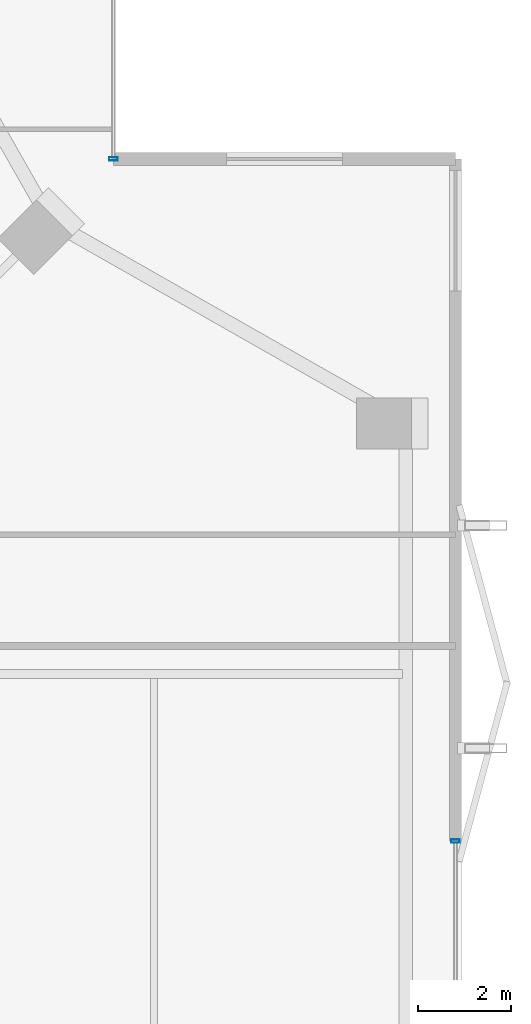
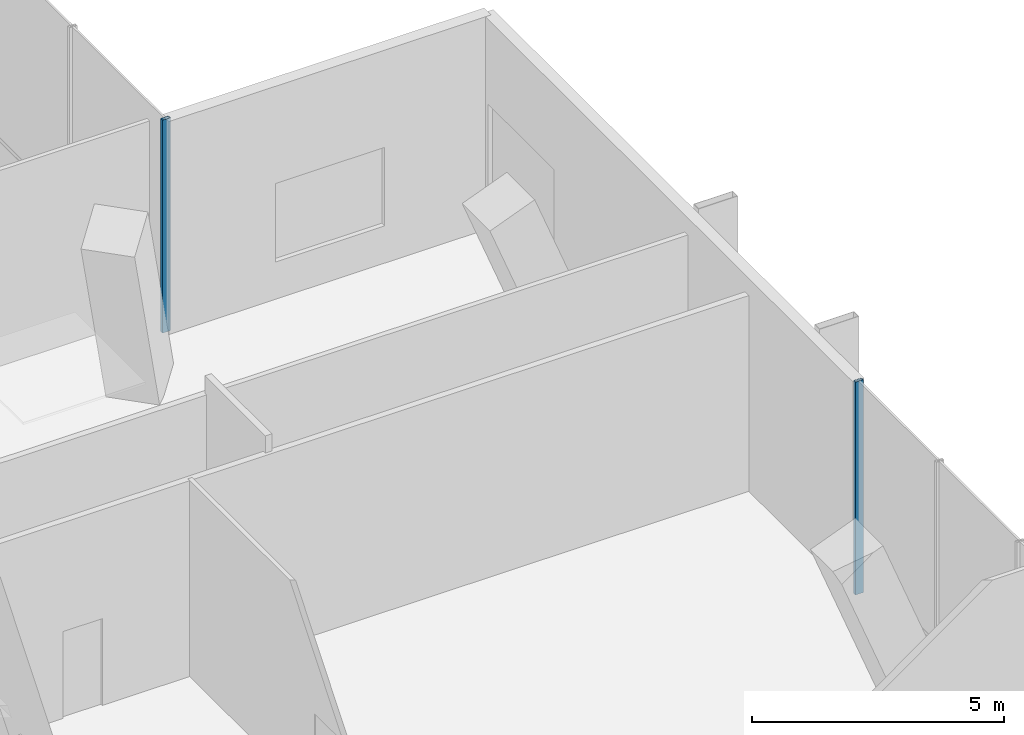
# One storey, part 24 of 33: 2 members, 2 elements without a shape of their own.
"""IFC4 building model written with IfcOpenShell, lengths in metres."""

from ifc_helpers import new_model, si_unit, direction, frame, origin, origin_2d, place, context, subcontext, project, spatial, hollow_rectangle, extrude, material, layer, layer_set, material_profile, profile_set, type_object, element, aggregate, save


model = new_model("IFC4")

# Units and contexts
model_context = context("Model", 3, precision=1e-05, world=origin(), true_north=direction((0.0, 1.0)))
body_context = subcontext(model_context, "Body", "Model", "MODEL_VIEW")
ifc_project = project(units=[si_unit("LENGTHUNIT", "METRE"), si_unit("AREAUNIT", "SQUARE_METRE"), si_unit("VOLUMEUNIT", "CUBIC_METRE"), si_unit("PLANEANGLEUNIT", "RADIAN"), si_unit("MASSUNIT", "GRAM", prefix="KILO")], contexts=[model_context])

# Site, building, storey
site_placement = place(None, origin())
site = spatial("IfcSite", under=ifc_project, at=site_placement, CompositionType="ELEMENT")
building_placement = place(site_placement, origin())
building = spatial("IfcBuilding", under=site, at=building_placement, Name="Belovzor Exchange Tower", CompositionType="ELEMENT")
storey_placement = place(building_placement, frame((0.0, 0.0, 241.199951171875)))
storey = spatial("IfcBuildingStorey", under=building, at=storey_placement, Name="L60", CompositionType="ELEMENT", Elevation=241.199951171875)

# Curtain wall, member
ifc_material_1 = material(Name="Anodised Aluminium Framing", Category="aluminium")
ifc_layer_1 = layer(ifc_material_1, 0.239990234375)
ifc_layer_set_1 = layer_set([ifc_layer_1], Name="Anodised Aluminium Framing")
curtain_wall_type_1 = type_object("IfcCurtainWallType", Name="Sky-Lobby Double-Skin Acoustic Curtain Wall", PredefinedType="NOTDEFINED", material=ifc_layer_set_1)
curtain_wall_1_placement = place(storey_placement, origin())
curtain_wall_1 = element("IfcCurtainWall", 1, at=curtain_wall_1_placement, inside=storey, type_object=curtain_wall_type_1, Name="CW4 Sky-Lobby Double-Skin Acoustic Curtain Wall L60", PredefinedType="NOTDEFINED")
ifc_material_2 = material(Name="Steel S355", Category="steel")
ifc_material_profile = material_profile(ifc_material_2, hollow_rectangle(XDim=0.074951171875, YDim=0.179931640625, WallThickness=0.0048828125, at=origin_2d()))
ifc_profile_set = profile_set([ifc_material_profile], Name="Steel S355")
member_type = type_object("IfcMemberType", Name="Thermally Broken Curtain Wall Mullion 180x75", PredefinedType="MULLION", material=ifc_profile_set)
member_1_placement = place(storey_placement, frame((55.669921875, 33.60009765625, 0.0), z_axis=(0.0, 0.0, 1.0), x_axis=(0.0, -1.0, 0.0)))
member_1 = element("IfcMember", 2, at=member_1_placement, type_object=member_type, Name="CW-M180 Curtain Wall Mullion 1", PredefinedType="MULLION", context=body_context, shape_type="SweptSolid", body=[
    extrude(hollow_rectangle(XDim=0.074951171875, YDim=0.179931640625, WallThickness=0.0048828125, at=origin_2d()), origin(), (0.0, 0.0, 1.0), 5.150146484375),
])
aggregate(curtain_wall_1, [member_1])

ifc_material_3 = material(Name="Anodised Aluminium Framing", Category="aluminium")
ifc_layer_2 = layer(ifc_material_3, 0.195068359375)
ifc_layer_set_2 = layer_set([ifc_layer_2], Name="Anodised Aluminium Framing")
curtain_wall_type_2 = type_object("IfcCurtainWallType", Name="Notched Re-Entrant Corner Unitised Curtain Wall", PredefinedType="NOTDEFINED", material=ifc_layer_set_2)
curtain_wall_2_placement = place(storey_placement, origin())
curtain_wall_2 = element("IfcCurtainWall", 3, at=curtain_wall_2_placement, inside=storey, type_object=curtain_wall_type_2, Name="CW5 Notched Re-Entrant Corner Unitised Curtain Wall L60", PredefinedType="NOTDEFINED")
member_2_placement = place(storey_placement, frame((48.300048828125, 48.300048828125, 0.0), z_axis=(0.0, 0.0, 1.0), x_axis=(0.0, -1.0, 0.0)))
member_2 = element("IfcMember", 4, at=member_2_placement, type_object=member_type, Name="CW-M180 Curtain Wall Mullion 3", PredefinedType="MULLION", context=body_context, shape_type="SweptSolid", body=[
    extrude(hollow_rectangle(XDim=0.074951171875, YDim=0.179931640625, WallThickness=0.0048828125, at=origin_2d()), origin(), (0.0, 0.0, 1.0), 5.150146484375),
])
aggregate(curtain_wall_2, [member_2])

save(model, "model.ifc")
